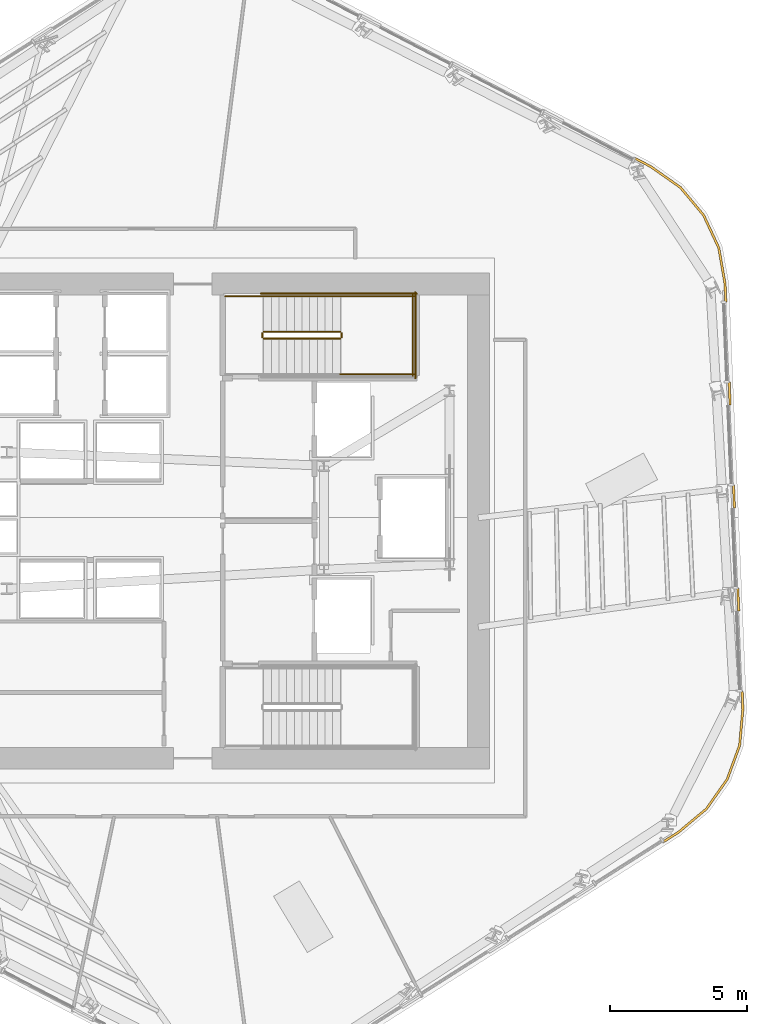
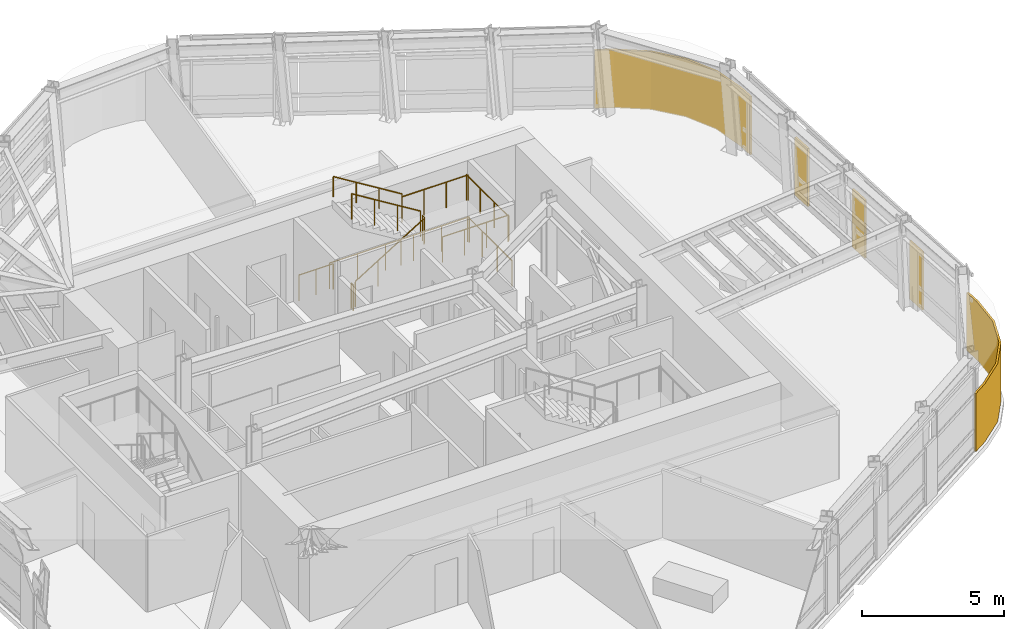
# One storey, part 13 of 15: 11 railings, 5 coverings.
"""IFC4 building model written with IfcOpenShell, lengths in metres."""

from ifc_helpers import new_model, si_unit, direction, frame, origin, origin_2d, place, context, subcontext, project, spatial, polyline, circle, outline, extrude, material, layer, layer_set, type_object, element, save


model = new_model("IFC4")

# Units and contexts
model_context = context("Model", 3, precision=1e-05, world=origin(), true_north=direction((0.0, 1.0)))
body_context = subcontext(model_context, "Body", "Model", "MODEL_VIEW")
ifc_project = project(units=[si_unit("LENGTHUNIT", "METRE"), si_unit("AREAUNIT", "SQUARE_METRE"), si_unit("VOLUMEUNIT", "CUBIC_METRE"), si_unit("PLANEANGLEUNIT", "RADIAN"), si_unit("MASSUNIT", "GRAM", prefix="KILO")], contexts=[model_context])

# Site, building, storey
site_placement = place(None, origin())
site = spatial("IfcSite", under=ifc_project, at=site_placement, CompositionType="ELEMENT")
building_placement = place(site_placement, origin())
building = spatial("IfcBuilding", under=site, at=building_placement, Name="Valkerne Bourse Tower", CompositionType="ELEMENT")
storey_placement = place(building_placement, frame((0.0, 0.0, 162.800048828125)))
storey = spatial("IfcBuildingStorey", under=building, at=storey_placement, Name="L41", CompositionType="ELEMENT", Elevation=162.800048828125)

# Coverings
ifc_material_1 = material(Name="Bronze Anodised Aluminium AA 6063-T6", Category="aluminium")
ifc_layer = layer(ifc_material_1, 0.06005859375)
ifc_layer_set = layer_set([ifc_layer], Name="Bronze Anodised Aluminium AA 6063-T6")
covering_type = type_object("IfcCoveringType", Name="COV-CRN-ALUM", PredefinedType="CLADDING", material=ifc_layer_set)
covering_1_placement = place(storey_placement, origin())
element("IfcCovering", 1, at=covering_1_placement, inside=storey, type_object=covering_type, Name="L41 Wind-Shaped Corner Aluminium Cladding 01", PredefinedType="CLADDING", context=body_context, shape_type="SweptSolid", body=[
    extrude(outline(polyline([(65.59716796875, 18.662353515625), (65.1396484375, 17.412109375), (64.374267578125, 16.3232421875), (63.347900390625, 15.465087890625), (62.783203125, 15.1064453125), (62.740234375, 15.174072265625), (63.30078125, 15.52978515625), (64.31494140625, 16.377685546875), (65.068115234375, 17.44970703125), (65.518310546875, 18.679931640625), (65.635986328125, 19.99658203125), (65.608154296875, 20.66015625), (65.68798828125, 20.663330078125), (65.716064453125, 19.994873046875), (65.59716796875, 18.662353515625)])), origin(), (0.0, 0.0, 1.0), 2.5),
])
covering_2_placement = place(storey_placement, origin())
element("IfcCovering", 2, at=covering_2_placement, inside=storey, type_object=covering_type, Name="L41 Wind-Shaped Corner Aluminium Cladding 21", PredefinedType="CLADDING", context=body_context, shape_type="SweptSolid", body=[
    extrude(outline(polyline([(62.32470703125, 39.879150390625), (63.419189453125, 39.110107421875), (64.273193359375, 38.0888671875), (64.83349609375, 36.88134765625), (65.063720703125, 35.563720703125), (65.091552734375, 34.894775390625), (65.01171875, 34.8916015625), (64.98388671875, 35.554931640625), (64.756591796875, 36.857177734375), (64.205078125, 38.04541015625), (63.364501953125, 39.050537109375), (62.282958984375, 39.810791015625), (61.694580078125, 40.118408203125), (61.731689453125, 40.189208984375), (62.32470703125, 39.879150390625)])), origin(), (0.0, 0.0, 1.0), 2.5),
])
covering_3_placement = place(storey_placement, origin())
element("IfcCovering", 3, at=covering_3_placement, inside=storey, type_object=covering_type, Name="L41 Wind-Shaped Corner Aluminium Cladding 22", PredefinedType="CLADDING", context=body_context, shape_type="SweptSolid", body=[
    extrude(outline(polyline([(65.24951171875, 31.127197265625), (65.169677734375, 31.123779296875), (65.134521484375, 31.963134765625), (65.21435546875, 31.966552734375), (65.24951171875, 31.127197265625)])), origin(), (0.0, 0.0, 1.0), 2.5),
])
covering_4_placement = place(storey_placement, origin())
element("IfcCovering", 4, at=covering_4_placement, inside=storey, type_object=covering_type, Name="L41 Wind-Shaped Corner Aluminium Cladding 23", PredefinedType="CLADDING", context=body_context, shape_type="SweptSolid", body=[
    extrude(outline(polyline([(65.407470703125, 27.359619140625), (65.327392578125, 27.356201171875), (65.292236328125, 28.195556640625), (65.372314453125, 28.19873046875), (65.407470703125, 27.359619140625)])), origin(), (0.0, 0.0, 1.0), 2.5),
])
covering_5_placement = place(storey_placement, origin())
element("IfcCovering", 5, at=covering_5_placement, inside=storey, type_object=covering_type, Name="L41 Wind-Shaped Corner Aluminium Cladding 24", PredefinedType="CLADDING", context=body_context, shape_type="SweptSolid", body=[
    extrude(outline(polyline([(65.565185546875, 23.591796875), (65.4853515625, 23.58837890625), (65.4501953125, 24.427734375), (65.5302734375, 24.43115234375), (65.565185546875, 23.591796875)])), origin(), (0.0, 0.0, 1.0), 2.5),
])

# Railings
ifc_material_2 = material(Name="Galvanised Painted Steel", Category="steel")
railing_type_1 = type_object("IfcRailingType", Name="RLG-ST-GUARD-1120", PredefinedType="GUARDRAIL", material=ifc_material_2)
railing_1_placement = place(storey_placement, frame((48.14990234375, 33.550048828125, 0.172607421875)))
element("IfcRailing", 6, at=railing_1_placement, inside=storey, type_object=railing_type_1, Name="L41 ST-2 stair guard 1", PredefinedType="GUARDRAIL", context=body_context, shape_type="SweptSolid", body=[
    extrude(circle(Radius=0.02392578125, at=origin_2d()), frame((0.0, 0.0, 1.09619140625), z_axis=(0.851089632645, 0.0, 0.525020415988), x_axis=(0.0, 1.0, 0.0)), (0.0, 0.0, 1.0), 3.2900390625),
    extrude(circle(Radius=0.02099609375, at=origin_2d()), origin(), (0.0, 0.0, 1.0), 1.072021484375),
    extrude(circle(Radius=0.02099609375, at=origin_2d()), frame((0.933349609375, 0.0, 0.57568359375)), (0.0, 0.0, 1.0), 1.072021484375),
    extrude(circle(Radius=0.02099609375, at=origin_2d()), frame((1.86669921875, 0.0, 1.151611328125)), (0.0, 0.0, 1.0), 1.072021484375),
    extrude(circle(Radius=0.02099609375, at=origin_2d()), frame((2.800048828125, 0.0, 1.727294921875)), (0.0, 0.0, 1.0), 1.072021484375),
])
railing_2_placement = place(storey_placement, frame((51.0, 33.60009765625, 1.89990234375)))
element("IfcRailing", 7, at=railing_2_placement, inside=storey, type_object=railing_type_1, Name="L41 ST-2 stair guard 2", PredefinedType="GUARDRAIL", context=body_context, shape_type="SweptSolid", body=[
    extrude(circle(Radius=0.02392578125, at=origin_2d()), frame((0.0, 0.0, 1.09619140625), z_axis=(0.0, 1.0, 0.0), x_axis=(-1.0, 0.0, 0.0)), (0.0, 0.0, 1.0), 0.14990234375),
    extrude(circle(Radius=0.02099609375, at=origin_2d()), origin(), (0.0, 0.0, 1.0), 1.072021484375),
    extrude(circle(Radius=0.02099609375, at=origin_2d()), frame((0.0, 0.14990234375, 0.0)), (0.0, 0.0, 1.0), 1.072021484375),
])
for number, where, name in (
    (8, (50.949951171875, 32.25, 1.89990234375), "L41 ST-2 stair guard 3"),
    (9, (50.949951171875, 35.10009765625, 1.89990234375), "L41 ST-2 stair guard 4"),
):
    element("IfcRailing", number, at=place(storey_placement, frame(where)), inside=storey, type_object=railing_type_1, Name=name, PredefinedType="GUARDRAIL", context=body_context, shape_type="SweptSolid", body=[
        extrude(circle(Radius=0.02392578125, at=origin_2d()), frame((0.0, 0.0, 1.09619140625), z_axis=(1.0, 0.0, 0.0), x_axis=(0.0, 1.0, 0.0)), (0.0, 0.0, 1.0), 2.699951171875),
        extrude(circle(Radius=0.02099609375, at=origin_2d()), origin(), (0.0, 0.0, 1.0), 1.072021484375),
        extrude(circle(Radius=0.02099609375, at=origin_2d()), frame((0.89990234375, 0.0, 0.0)), (0.0, 0.0, 1.0), 1.072021484375),
        extrude(circle(Radius=0.02099609375, at=origin_2d()), frame((1.800048828125, 0.0, 0.0)), (0.0, 0.0, 1.0), 1.072021484375),
        extrude(circle(Radius=0.02099609375, at=origin_2d()), frame((2.699951171875, 0.0, 0.0)), (0.0, 0.0, 1.0), 1.072021484375),
    ])
railing_3_placement = place(storey_placement, frame((53.60009765625, 32.199951171875, 1.89990234375)))
element("IfcRailing", 10, at=railing_3_placement, inside=storey, type_object=railing_type_1, Name="L41 ST-2 stair guard 5", PredefinedType="GUARDRAIL", context=body_context, shape_type="SweptSolid", body=[
    extrude(circle(Radius=0.02392578125, at=origin_2d()), frame((0.0, 0.0, 1.09619140625), z_axis=(0.0, 1.0, 0.0), x_axis=(-1.0, 0.0, 0.0)), (0.0, 0.0, 1.0), 2.949951171875),
    extrude(circle(Radius=0.02099609375, at=origin_2d()), origin(), (0.0, 0.0, 1.0), 1.072021484375),
    extrude(circle(Radius=0.02099609375, at=origin_2d()), frame((0.0, 0.9833984375, 0.0)), (0.0, 0.0, 1.0), 1.072021484375),
    extrude(circle(Radius=0.02099609375, at=origin_2d()), frame((0.0, 1.966552734375, 0.0)), (0.0, 0.0, 1.0), 1.072021484375),
    extrude(circle(Radius=0.02099609375, at=origin_2d()), frame((0.0, 2.949951171875, 0.0)), (0.0, 0.0, 1.0), 1.072021484375),
])
railing_4_placement = place(storey_placement, frame((50.949951171875, 33.800048828125, 2.07275390625)))
element("IfcRailing", 11, at=railing_4_placement, inside=storey, type_object=railing_type_1, Name="L41 ST-2 stair guard 6", PredefinedType="GUARDRAIL", context=body_context, shape_type="SweptSolid", body=[
    extrude(circle(Radius=0.02392578125, at=origin_2d()), frame((0.0, 0.0, 1.09619140625), z_axis=(-0.851089632645, 0.0, 0.525020415988), x_axis=(0.0, -1.0, 0.0)), (0.0, 0.0, 1.0), 3.2900390625),
    extrude(circle(Radius=0.02099609375, at=origin_2d()), origin(), (0.0, 0.0, 1.0), 1.072021484375),
    extrude(circle(Radius=0.02099609375, at=origin_2d()), frame((-0.933349609375, 0.0, 0.57568359375)), (0.0, 0.0, 1.0), 1.072021484375),
    extrude(circle(Radius=0.02099609375, at=origin_2d()), frame((-1.86669921875, 0.0, 1.151611328125)), (0.0, 0.0, 1.0), 1.072021484375),
    extrude(circle(Radius=0.02099609375, at=origin_2d()), frame((-2.800048828125, 0.0, 1.727294921875)), (0.0, 0.0, 1.0), 1.072021484375),
])
railing_5_placement = place(storey_placement, frame((48.10009765625, 33.60009765625, 0.0)))
element("IfcRailing", 12, at=railing_5_placement, inside=storey, type_object=railing_type_1, Name="L41 ST-2 stair guard 7", PredefinedType="GUARDRAIL", context=body_context, shape_type="SweptSolid", body=[
    extrude(circle(Radius=0.02392578125, at=origin_2d()), frame((0.0, 0.0, 1.09619140625), z_axis=(0.0, 1.0, 0.0), x_axis=(-1.0, 0.0, 0.0)), (0.0, 0.0, 1.0), 0.14990234375),
    extrude(circle(Radius=0.02099609375, at=origin_2d()), origin(), (0.0, 0.0, 1.0), 1.072021484375),
    extrude(circle(Radius=0.02099609375, at=origin_2d()), frame((0.0, 0.14990234375, 0.0)), (0.0, 0.0, 1.0), 1.072021484375),
])
railing_6_placement = place(storey_placement, frame((46.75, 35.10009765625, 0.0)))
element("IfcRailing", 13, at=railing_6_placement, inside=storey, type_object=railing_type_1, Name="L41 ST-2 stair guard 9", PredefinedType="GUARDRAIL", context=body_context, shape_type="SweptSolid", body=[
    extrude(circle(Radius=0.02392578125, at=origin_2d()), frame((0.0, 0.0, 1.09619140625), z_axis=(1.0, 0.0, 0.0), x_axis=(0.0, 1.0, 0.0)), (0.0, 0.0, 1.0), 1.39990234375),
    extrude(circle(Radius=0.02099609375, at=origin_2d()), origin(), (0.0, 0.0, 1.0), 1.072021484375),
    extrude(circle(Radius=0.02099609375, at=origin_2d()), frame((0.699951171875, 0.0, 0.0)), (0.0, 0.0, 1.0), 1.072021484375),
    extrude(circle(Radius=0.02099609375, at=origin_2d()), frame((1.39990234375, 0.0, 0.0)), (0.0, 0.0, 1.0), 1.072021484375),
])
railing_7_placement = place(storey_placement, frame((48.050048828125, 35.199951171875, 0.0)))
element("IfcRailing", 14, at=railing_7_placement, inside=storey, type_object=railing_type_1, Name="L41 ST-2 stair guard 11", PredefinedType="GUARDRAIL", context=body_context, shape_type="SweptSolid", body=[
    extrude(circle(Radius=0.02392578125, at=origin_2d()), frame((0.0, 0.0, 1.09619140625), z_axis=(1.0, 0.0, 0.0), x_axis=(0.0, 1.0, 0.0)), (0.0, 0.0, 1.0), 5.699951171875),
    extrude(circle(Radius=0.02099609375, at=origin_2d()), origin(), (0.0, 0.0, 1.0), 1.072021484375),
    extrude(circle(Radius=0.02099609375, at=origin_2d()), frame((1.139892578125, 0.0, 0.0)), (0.0, 0.0, 1.0), 1.072021484375),
    extrude(circle(Radius=0.02099609375, at=origin_2d()), frame((2.280029296875, 0.0, 0.0)), (0.0, 0.0, 1.0), 1.072021484375),
    extrude(circle(Radius=0.02099609375, at=origin_2d()), frame((3.419921875, 0.0, 0.0)), (0.0, 0.0, 1.0), 1.072021484375),
    extrude(circle(Radius=0.02099609375, at=origin_2d()), frame((4.56005859375, 0.0, 0.0)), (0.0, 0.0, 1.0), 1.072021484375),
    extrude(circle(Radius=0.02099609375, at=origin_2d()), frame((5.699951171875, 0.0, 0.0)), (0.0, 0.0, 1.0), 1.072021484375),
])
railing_8_placement = place(storey_placement, frame((53.699951171875, 32.10009765625, 0.0)))
element("IfcRailing", 15, at=railing_8_placement, inside=storey, type_object=railing_type_1, Name="L41 ST-2 stair guard 12", PredefinedType="GUARDRAIL", context=body_context, shape_type="SweptSolid", body=[
    extrude(circle(Radius=0.02392578125, at=origin_2d()), frame((0.0, 0.0, 1.09619140625), z_axis=(0.0, 1.0, 0.0), x_axis=(-1.0, 0.0, 0.0)), (0.0, 0.0, 1.0), 3.14990234375),
    extrude(circle(Radius=0.02099609375, at=origin_2d()), origin(), (0.0, 0.0, 1.0), 1.072021484375),
    extrude(circle(Radius=0.02099609375, at=origin_2d()), frame((0.0, 1.050048828125, 0.0)), (0.0, 0.0, 1.0), 1.072021484375),
    extrude(circle(Radius=0.02099609375, at=origin_2d()), frame((0.0, 2.099853515625, 0.0)), (0.0, 0.0, 1.0), 1.072021484375),
    extrude(circle(Radius=0.02099609375, at=origin_2d()), frame((0.0, 3.14990234375, 0.0)), (0.0, 0.0, 1.0), 1.072021484375),
])
ifc_material_3 = material(Name="Stainless Steel AISI 316", Category="steel")
railing_type_2 = type_object("IfcRailingType", Name="RLG-ST-HANDRAIL-900", PredefinedType="HANDRAIL", material=ifc_material_3)
railing_9_placement = place(storey_placement, frame((50.949951171875, 35.10009765625, 2.245361328125)))
element("IfcRailing", 16, at=railing_9_placement, inside=storey, type_object=railing_type_2, Name="L41 ST-2 stair handrail 2", PredefinedType="HANDRAIL", context=body_context, shape_type="SweptSolid", body=[
    extrude(circle(Radius=0.02392578125, at=origin_2d()), frame((0.0, 0.0, 0.8759765625), z_axis=(-0.851089632645, 0.0, 0.525020415988), x_axis=(0.0, -1.0, 0.0)), (0.0, 0.0, 1.0), 3.2900390625),
    extrude(circle(Radius=0.02099609375, at=origin_2d()), origin(), (0.0, 0.0, 1.0), 0.851806640625),
    extrude(circle(Radius=0.02099609375, at=origin_2d()), frame((-0.933349609375, 0.0, 0.57568359375)), (0.0, 0.0, 1.0), 0.851806640625),
    extrude(circle(Radius=0.02099609375, at=origin_2d()), frame((-1.86669921875, 0.0, 1.151611328125)), (0.0, 0.0, 1.0), 0.851806640625),
    extrude(circle(Radius=0.02099609375, at=origin_2d()), frame((-2.800048828125, 0.0, 1.727294921875)), (0.0, 0.0, 1.0), 0.851806640625),
])

save(model, "model.ifc")
